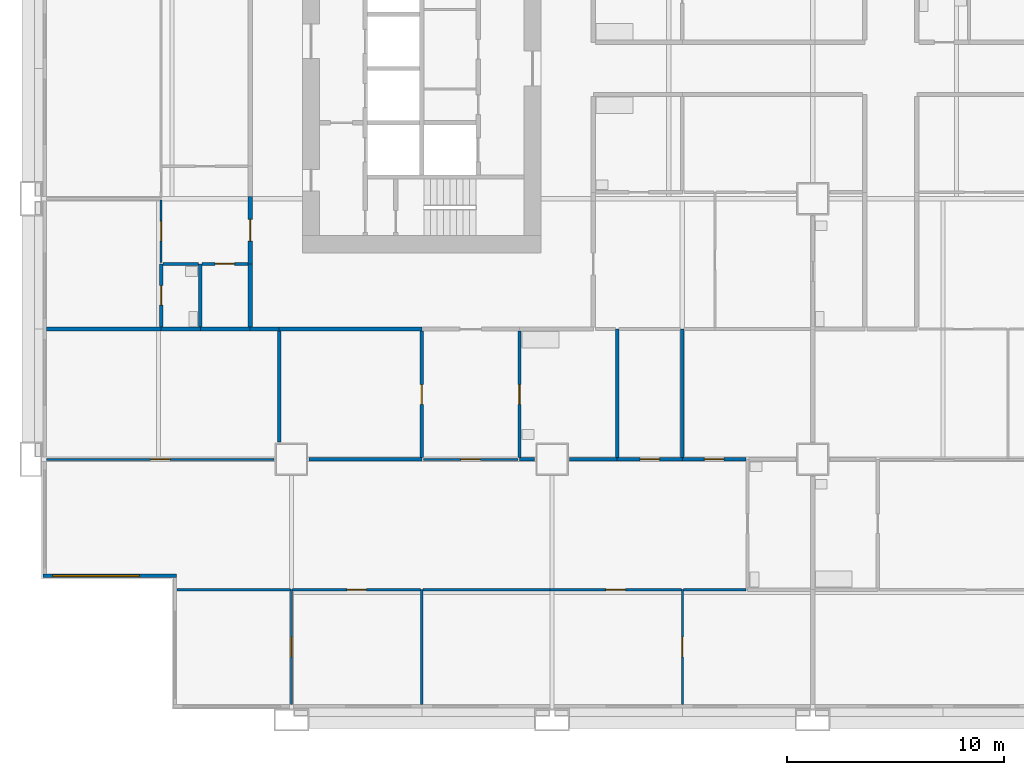
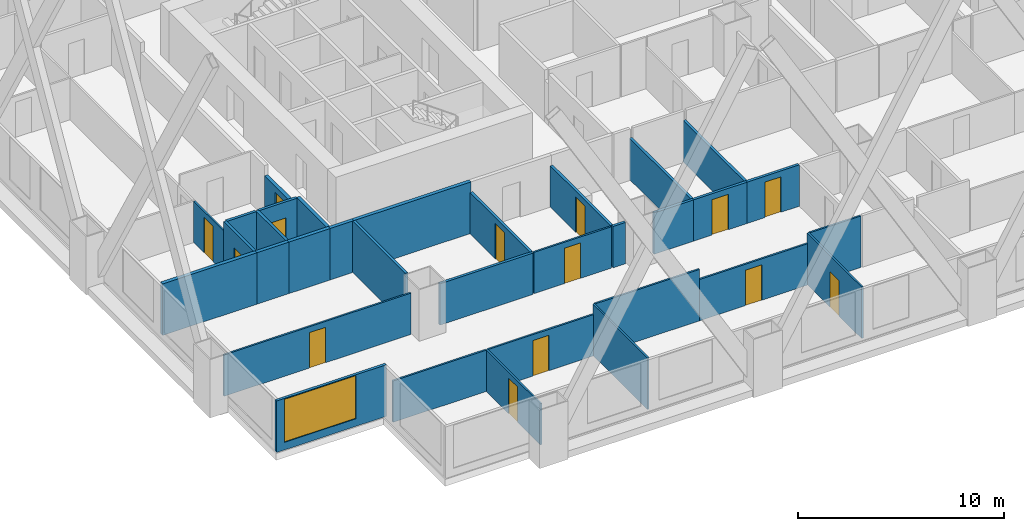
# One storey, part 2 of 13: 33 walls, 14 doors, 1 window, 15 openings.
"""IFC4 building model written with IfcOpenShell, lengths in metres."""

from ifc_helpers import new_model, si_unit, direction, frame, frame_2d, origin, place, context, subcontext, project, spatial, rectangle, extrude, material, layer, layer_set, type_object, element, fill, save


model = new_model("IFC4")

# Units and contexts
model_context = context("Model", 3, precision=1e-05, world=origin(), true_north=direction((0.0, 1.0)))
body_context = subcontext(model_context, "Body", "Model", "MODEL_VIEW")
ifc_project = project(units=[si_unit("LENGTHUNIT", "METRE"), si_unit("AREAUNIT", "SQUARE_METRE"), si_unit("VOLUMEUNIT", "CUBIC_METRE"), si_unit("PLANEANGLEUNIT", "RADIAN"), si_unit("MASSUNIT", "GRAM", prefix="KILO")], contexts=[model_context])

# Site, building, storey
site_placement = place(None, origin())
site = spatial("IfcSite", under=ifc_project, at=site_placement, CompositionType="ELEMENT")
building_placement = place(site_placement, origin())
building = spatial("IfcBuilding", under=site, at=building_placement, Name="Kitamizu Gate Tower and Museum", CompositionType="ELEMENT")
storey_placement = place(building_placement, frame((0.0, 0.0, 71.39990234375)))
storey = spatial("IfcBuildingStorey", under=building, at=storey_placement, Name="L17", CompositionType="ELEMENT", Elevation=71.39990234375)

# Wall, opening, door
ifc_material_1 = material(Name="Gypsum board on galvanised stud")
ifc_layer_1 = layer(ifc_material_1, 0.10009765625)
ifc_layer_set_1 = layer_set([ifc_layer_1], Name="Gypsum board on galvanised stud")
wall_type_1 = type_object("IfcWallType", Name="Partition 100 NOT RATED", PredefinedType="PARTITIONING", material=ifc_layer_set_1)
wall_1_placement = place(storey_placement, frame((12.0, 0.719970703125, 0.0), z_axis=(0.0, 0.0, 1.0), x_axis=(0.0, 1.0, 0.0)))
wall_1 = element("IfcWall", 1, at=wall_1_placement, inside=storey, type_object=wall_type_1, Name="Partition L17-001", PredefinedType="PARTITIONING", context=body_context, shape_type="SweptSolid", body=[
    extrude(rectangle(XDim=5.280029296875, YDim=0.10009765625, at=frame_2d((2.64013671875, 0.0))), origin(), (0.0, 0.0, 1.0), 2.4501953125),
])
opening_1_placement = place(wall_1_placement, frame((2.18994140625, 0.0, 0.0)))
opening_1 = element("IfcOpeningElement", 2, at=opening_1_placement, cuts=wall_1, Name="Opening L17-005", PredefinedType="OPENING", context=body_context, shape_type="SweptSolid", body=[
    extrude(rectangle(XDim=0.89990234375, YDim=2.10009765625, at=frame_2d((0.449951171875, 1.050048828125))), frame((0.0, 0.06005859375, 0.0), z_axis=(0.0, -1.0, 0.0), x_axis=(1.0, 0.0, 0.0)), (0.0, 0.0, 1.0), 0.1201171875),
])
ifc_material_2 = material(Name="Timber door set", Category="wood")
door_type_1 = type_object("IfcDoorType", Name="Room door 900", OperationType="NOTDEFINED", PredefinedType="DOOR", material=ifc_material_2)
door_1_placement = place(opening_1_placement, origin())
door_1 = element("IfcDoor", 3, at=door_1_placement, inside=storey, type_object=door_type_1, Name="Door L17-005", OperationType="SINGLE_SWING_RIGHT", OverallHeight=2.10009765625, OverallWidth=0.89990234375, PredefinedType="DOOR", context=body_context, shape_type="SweptSolid", body=[
    extrude(rectangle(XDim=0.89990234375, YDim=2.10009765625, at=frame_2d((0.449951171875, 1.050048828125))), frame((0.0, 0.02490234375, 0.0), z_axis=(0.0, -1.0, 0.0), x_axis=(1.0, 0.0, 0.0)), (0.0, 0.0, 1.0), 0.050048828125),
])
fill(opening_1, door_1)

# Walls
wall_2_placement = place(storey_placement, frame((11.949951171875, 6.0, 0.0), z_axis=(0.0, 0.0, 1.0), x_axis=(-1.0, 0.0, 0.0)))
element("IfcWall", 4, at=wall_2_placement, inside=storey, type_object=wall_type_1, Name="Partition L17-002", PredefinedType="PARTITIONING", context=body_context, shape_type="SweptSolid", body=[
    extrude(rectangle(XDim=5.22998046875, YDim=0.10009765625, at=frame_2d((2.614990234375, 0.0))), origin(), (0.0, 0.0, 1.0), 2.4501953125),
])
wall_3_placement = place(storey_placement, frame((18.0, 0.719970703125, 0.0), z_axis=(0.0, 0.0, 1.0), x_axis=(0.0, 1.0, 0.0)))
element("IfcWall", 5, at=wall_3_placement, inside=storey, type_object=wall_type_1, Name="Partition L17-003", PredefinedType="PARTITIONING", context=body_context, shape_type="SweptSolid", body=[
    extrude(rectangle(XDim=5.280029296875, YDim=0.10009765625, at=frame_2d((2.64013671875, 0.0))), origin(), (0.0, 0.0, 1.0), 3.050048828125),
])

# Wall, opening, door
wall_4_placement = place(storey_placement, frame((17.949951171875, 6.0, 0.0), z_axis=(0.0, 0.0, 1.0), x_axis=(-1.0, 0.0, 0.0)))
wall_4 = element("IfcWall", 6, at=wall_4_placement, inside=storey, type_object=wall_type_1, Name="Partition L17-004", PredefinedType="PARTITIONING", context=body_context, shape_type="SweptSolid", body=[
    extrude(rectangle(XDim=5.89990234375, YDim=0.10009765625, at=frame_2d((2.949951171875, 0.0))), origin(), (0.0, 0.0, 1.0), 2.4501953125),
])
opening_2_placement = place(wall_4_placement, frame((2.5, 0.0, 0.0)))
opening_2 = element("IfcOpeningElement", 7, at=opening_2_placement, cuts=wall_4, Name="Opening L17-003", PredefinedType="OPENING", context=body_context, shape_type="SweptSolid", body=[
    extrude(rectangle(XDim=0.89990234375, YDim=2.10009765625, at=frame_2d((0.449951171875, 1.050048828125))), frame((0.0, 0.06005859375, 0.0), z_axis=(0.0, -1.0, 0.0), x_axis=(1.0, 0.0, 0.0)), (0.0, 0.0, 1.0), 0.1201171875),
])
door_2_placement = place(opening_2_placement, origin())
door_2 = element("IfcDoor", 8, at=door_2_placement, inside=storey, type_object=door_type_1, Name="Door L17-003", OperationType="SINGLE_SWING_RIGHT", OverallHeight=2.10009765625, OverallWidth=0.89990234375, PredefinedType="DOOR", context=body_context, shape_type="SweptSolid", body=[
    extrude(rectangle(XDim=0.89990234375, YDim=2.10009765625, at=frame_2d((0.449951171875, 1.050048828125))), frame((0.0, 0.02490234375, 0.0), z_axis=(0.0, -1.0, 0.0), x_axis=(1.0, 0.0, 0.0)), (0.0, 0.0, 1.0), 0.050048828125),
])
fill(opening_2, door_2)

wall_5_placement = place(storey_placement, frame((30.0, 0.719970703125, 0.0), z_axis=(0.0, 0.0, 1.0), x_axis=(0.0, 1.0, 0.0)))
wall_5 = element("IfcWall", 9, at=wall_5_placement, inside=storey, type_object=wall_type_1, Name="Partition L17-005", PredefinedType="PARTITIONING", context=body_context, shape_type="SweptSolid", body=[
    extrude(rectangle(XDim=5.280029296875, YDim=0.10009765625, at=frame_2d((2.64013671875, 0.0))), origin(), (0.0, 0.0, 1.0), 3.050048828125),
])
opening_3_placement = place(wall_5_placement, frame((2.18994140625, 0.0, 0.0)))
opening_3 = element("IfcOpeningElement", 10, at=opening_3_placement, cuts=wall_5, Name="Opening L17-006", PredefinedType="OPENING", context=body_context, shape_type="SweptSolid", body=[
    extrude(rectangle(XDim=0.89990234375, YDim=2.10009765625, at=frame_2d((0.449951171875, 1.050048828125))), frame((0.0, 0.06005859375, 0.0), z_axis=(0.0, -1.0, 0.0), x_axis=(1.0, 0.0, 0.0)), (0.0, 0.0, 1.0), 0.1201171875),
])
door_3_placement = place(opening_3_placement, frame((0.89990234375, 0.0, 0.0), x_axis=(-1.0, 0.0, 0.0)))
door_3 = element("IfcDoor", 11, at=door_3_placement, inside=storey, type_object=door_type_1, Name="Door L17-006", OperationType="SINGLE_SWING_RIGHT", OverallHeight=2.10009765625, OverallWidth=0.89990234375, PredefinedType="DOOR", context=body_context, shape_type="SweptSolid", body=[
    extrude(rectangle(XDim=0.89990234375, YDim=2.10009765625, at=frame_2d((0.449951171875, 1.050048828125))), frame((0.0, 0.02490234375, 0.0), z_axis=(0.0, -1.0, 0.0), x_axis=(1.0, 0.0, 0.0)), (0.0, 0.0, 1.0), 0.050048828125),
])
fill(opening_3, door_3)

wall_6_placement = place(storey_placement, frame((29.949951171875, 6.0, 0.0), z_axis=(0.0, 0.0, 1.0), x_axis=(-1.0, 0.0, 0.0)))
wall_6 = element("IfcWall", 12, at=wall_6_placement, inside=storey, type_object=wall_type_1, Name="Partition L17-006", PredefinedType="PARTITIONING", context=body_context, shape_type="SweptSolid", body=[
    extrude(rectangle(XDim=6.050048828125, YDim=0.10009765625, at=frame_2d((3.02490234375, 0.0))), origin(), (0.0, 0.0, 1.0), 2.4501953125),
])
opening_4_placement = place(wall_6_placement, frame((2.574951171875, 0.0, 0.0)))
opening_4 = element("IfcOpeningElement", 13, at=opening_4_placement, cuts=wall_6, Name="Opening L17-004", PredefinedType="OPENING", context=body_context, shape_type="SweptSolid", body=[
    extrude(rectangle(XDim=0.89990234375, YDim=2.10009765625, at=frame_2d((0.449951171875, 1.050048828125))), frame((0.0, 0.06005859375, 0.0), z_axis=(0.0, -1.0, 0.0), x_axis=(1.0, 0.0, 0.0)), (0.0, 0.0, 1.0), 0.1201171875),
])
door_4_placement = place(opening_4_placement, origin())
door_4 = element("IfcDoor", 14, at=door_4_placement, inside=storey, type_object=door_type_1, Name="Door L17-004", OperationType="SINGLE_SWING_LEFT", OverallHeight=2.10009765625, OverallWidth=0.89990234375, PredefinedType="DOOR", context=body_context, shape_type="SweptSolid", body=[
    extrude(rectangle(XDim=0.89990234375, YDim=2.10009765625, at=frame_2d((0.449951171875, 1.050048828125))), frame((0.0, 0.02490234375, 0.0), z_axis=(0.0, -1.0, 0.0), x_axis=(1.0, 0.0, 0.0)), (0.0, 0.0, 1.0), 0.050048828125),
])
fill(opening_4, door_4)

# Walls
wall_7_placement = place(storey_placement, frame((23.89990234375, 6.0, 0.0), z_axis=(0.0, 0.0, 1.0), x_axis=(-1.0, 0.0, 0.0)))
element("IfcWall", 15, at=wall_7_placement, inside=storey, type_object=wall_type_1, Name="Partition L17-007", PredefinedType="PARTITIONING", context=body_context, shape_type="SweptSolid", body=[
    extrude(rectangle(XDim=5.849853515625, YDim=0.10009765625, at=frame_2d((2.9248046875, 0.0))), origin(), (0.0, 0.0, 1.0), 3.050048828125),
])
wall_8_placement = place(storey_placement, frame((32.925048828125, 6.0, 0.0), z_axis=(0.0, 0.0, 1.0), x_axis=(-1.0, 0.0, 0.0)))
element("IfcWall", 16, at=wall_8_placement, inside=storey, type_object=wall_type_1, Name="Partition L17-008", PredefinedType="PARTITIONING", context=body_context, shape_type="SweptSolid", body=[
    extrude(rectangle(XDim=2.875, YDim=0.10009765625, at=frame_2d((1.4375, 0.0))), origin(), (0.0, 0.0, 1.0), 3.050048828125),
])

# Wall, opening, door
wall_9_placement = place(storey_placement, frame((11.199951171875, 12.0, 0.0), z_axis=(0.0, 0.0, 1.0), x_axis=(-1.0, 0.0, 0.0)))
wall_9 = element("IfcWall", 17, at=wall_9_placement, inside=storey, type_object=wall_type_1, Name="Partition L17-012", PredefinedType="PARTITIONING", context=body_context, shape_type="SweptSolid", body=[
    extrude(rectangle(XDim=10.47998046875, YDim=0.10009765625, at=frame_2d((5.239990234375, 0.0))), origin(), (0.0, 0.0, 1.0), 2.4501953125),
])
opening_5_placement = place(wall_9_placement, frame((4.7900390625, 0.0, 0.0)))
opening_5 = element("IfcOpeningElement", 18, at=opening_5_placement, cuts=wall_9, Name="Opening L17-008", PredefinedType="OPENING", context=body_context, shape_type="SweptSolid", body=[
    extrude(rectangle(XDim=0.89990234375, YDim=2.10009765625, at=frame_2d((0.449951171875, 1.050048828125))), frame((0.0, 0.06005859375, 0.0), z_axis=(0.0, -1.0, 0.0), x_axis=(1.0, 0.0, 0.0)), (0.0, 0.0, 1.0), 0.1201171875),
])
door_5_placement = place(opening_5_placement, frame((0.89990234375, 0.0, 0.0), x_axis=(-1.0, 0.0, 0.0)))
door_5 = element("IfcDoor", 19, at=door_5_placement, inside=storey, type_object=door_type_1, Name="Door L17-008", OperationType="SINGLE_SWING_RIGHT", OverallHeight=2.10009765625, OverallWidth=0.89990234375, PredefinedType="DOOR", context=body_context, shape_type="SweptSolid", body=[
    extrude(rectangle(XDim=0.89990234375, YDim=2.10009765625, at=frame_2d((0.449951171875, 1.050048828125))), frame((0.0, 0.02490234375, 0.0), z_axis=(0.0, -1.0, 0.0), x_axis=(1.0, 0.0, 0.0)), (0.0, 0.0, 1.0), 0.050048828125),
])
fill(opening_5, door_5)

wall_10_placement = place(storey_placement, frame((22.425048828125, 12.0, 0.0), z_axis=(0.0, 0.0, 1.0), x_axis=(-1.0, 0.0, 0.0)))
wall_10 = element("IfcWall", 20, at=wall_10_placement, inside=storey, type_object=wall_type_1, Name="Partition L17-014", PredefinedType="PARTITIONING", context=body_context, shape_type="SweptSolid", body=[
    extrude(rectangle(XDim=4.35009765625, YDim=0.10009765625, at=frame_2d((2.175048828125, 0.0))), origin(), (0.0, 0.0, 1.0), 2.4501953125),
])
opening_6_placement = place(wall_10_placement, frame((1.72509765625, 0.0, 0.0)))
opening_6 = element("IfcOpeningElement", 21, at=opening_6_placement, cuts=wall_10, Name="Opening L17-002", PredefinedType="OPENING", context=body_context, shape_type="SweptSolid", body=[
    extrude(rectangle(XDim=0.89990234375, YDim=2.10009765625, at=frame_2d((0.449951171875, 1.050048828125))), frame((0.0, 0.06005859375, 0.0), z_axis=(0.0, -1.0, 0.0), x_axis=(1.0, 0.0, 0.0)), (0.0, 0.0, 1.0), 0.1201171875),
])
door_6_placement = place(opening_6_placement, frame((0.89990234375, 0.0, 0.0), x_axis=(-1.0, 0.0, 0.0)))
door_6 = element("IfcDoor", 22, at=door_6_placement, inside=storey, type_object=door_type_1, Name="Door L17-002", OperationType="SINGLE_SWING_RIGHT", OverallHeight=2.10009765625, OverallWidth=0.89990234375, PredefinedType="DOOR", context=body_context, shape_type="SweptSolid", body=[
    extrude(rectangle(XDim=0.89990234375, YDim=2.10009765625, at=frame_2d((0.449951171875, 1.050048828125))), frame((0.0, 0.02490234375, 0.0), z_axis=(0.0, -1.0, 0.0), x_axis=(1.0, 0.0, 0.0)), (0.0, 0.0, 1.0), 0.050048828125),
])
fill(opening_6, door_6)

wall_11_placement = place(storey_placement, frame((6.0, 21.074951171875, 0.0), z_axis=(0.0, 0.0, 1.0), x_axis=(0.0, 1.0, 0.0)))
wall_11 = element("IfcWall", 23, at=wall_11_placement, inside=storey, type_object=wall_type_1, Name="Partition L17-056", PredefinedType="PARTITIONING", context=body_context, shape_type="SweptSolid", body=[
    extrude(rectangle(XDim=2.875, YDim=0.10009765625, at=frame_2d((1.4375, 0.0))), origin(), (0.0, 0.0, 1.0), 2.4501953125),
])
opening_7_placement = place(wall_11_placement, frame((0.987548828125, 0.0, 0.0)))
opening_7 = element("IfcOpeningElement", 24, at=opening_7_placement, cuts=wall_11, Name="Opening L17-019", PredefinedType="OPENING", context=body_context, shape_type="SweptSolid", body=[
    extrude(rectangle(XDim=0.89990234375, YDim=2.10009765625, at=frame_2d((0.449951171875, 1.050048828125))), frame((0.0, 0.06005859375, 0.0), z_axis=(0.0, -1.0, 0.0), x_axis=(1.0, 0.0, 0.0)), (0.0, 0.0, 1.0), 0.1201171875),
])
door_7_placement = place(opening_7_placement, origin())
door_7 = element("IfcDoor", 25, at=door_7_placement, inside=storey, type_object=door_type_1, Name="Door L17-019", OperationType="SINGLE_SWING_LEFT", OverallHeight=2.10009765625, OverallWidth=0.89990234375, PredefinedType="DOOR", context=body_context, shape_type="SweptSolid", body=[
    extrude(rectangle(XDim=0.89990234375, YDim=2.10009765625, at=frame_2d((0.449951171875, 1.050048828125))), frame((0.0, 0.02490234375, 0.0), z_axis=(0.0, -1.0, 0.0), x_axis=(1.0, 0.0, 0.0)), (0.0, 0.0, 1.0), 0.050048828125),
])
fill(opening_7, door_7)

# Walls
ifc_material_3 = material(Name="Gypsum board on galvanised stud")
ifc_layer_2 = layer(ifc_material_3, 0.14990234375)
ifc_layer_set_2 = layer_set([ifc_layer_2], Name="Gypsum board on galvanised stud")
wall_type_2 = type_object("IfcWallType", Name="Partition 150", PredefinedType="PARTITIONING", material=ifc_layer_set_2)
wall_12_placement = place(storey_placement, frame((18.0, 12.0, 0.0), z_axis=(0.0, 0.0, 1.0), x_axis=(-1.0, 0.0, 0.0)))
element("IfcWall", 26, at=wall_12_placement, inside=storey, type_object=wall_type_2, Name="Partition L17-013", PredefinedType="PARTITIONING", context=body_context, shape_type="SweptSolid", body=[
    extrude(rectangle(XDim=5.199951171875, YDim=0.14990234375, at=frame_2d((2.60009765625, 0.0))), origin(), (0.0, 0.0, 1.0), 2.4501953125),
])
wall_13_placement = place(storey_placement, frame((23.199951171875, 12.0, 0.0), z_axis=(0.0, 0.0, 1.0), x_axis=(-1.0, 0.0, 0.0)))
element("IfcWall", 27, at=wall_13_placement, inside=storey, type_object=wall_type_2, Name="Partition L17-015", PredefinedType="PARTITIONING", context=body_context, shape_type="SweptSolid", body=[
    extrude(rectangle(XDim=0.699951171875, YDim=0.14990234375, at=frame_2d((0.35009765625, 0.0))), origin(), (0.0, 0.0, 1.0), 2.4501953125),
])
wall_14_placement = place(storey_placement, frame((27.0, 12.0, 0.0), z_axis=(0.0, 0.0, 1.0), x_axis=(-1.0, 0.0, 0.0)))
element("IfcWall", 28, at=wall_14_placement, inside=storey, type_object=wall_type_2, Name="Partition L17-016", PredefinedType="PARTITIONING", context=body_context, shape_type="SweptSolid", body=[
    extrude(rectangle(XDim=2.199951171875, YDim=0.14990234375, at=frame_2d((1.10009765625, 0.0))), origin(), (0.0, 0.0, 1.0), 2.4501953125),
])

# Wall, opening, door
wall_15_placement = place(storey_placement, frame((30.0, 12.0, 0.0), z_axis=(0.0, 0.0, 1.0), x_axis=(-1.0, 0.0, 0.0)))
wall_15 = element("IfcWall", 29, at=wall_15_placement, inside=storey, type_object=wall_type_2, Name="Partition L17-017", PredefinedType="PARTITIONING", context=body_context, shape_type="SweptSolid", body=[
    extrude(rectangle(XDim=3.0, YDim=0.14990234375, at=frame_2d((1.5, 0.0))), origin(), (0.0, 0.0, 1.0), 2.4501953125),
])
opening_8_placement = place(wall_15_placement, frame((1.050048828125, 0.0, 0.0)))
opening_8 = element("IfcOpeningElement", 30, at=opening_8_placement, cuts=wall_15, Name="Opening L17-011", PredefinedType="OPENING", context=body_context, shape_type="SweptSolid", body=[
    extrude(rectangle(XDim=0.89990234375, YDim=2.10009765625, at=frame_2d((0.449951171875, 1.050048828125))), frame((0.0, 0.0849609375, 0.0), z_axis=(0.0, -1.0, 0.0), x_axis=(1.0, 0.0, 0.0)), (0.0, 0.0, 1.0), 0.169921875),
])
ifc_material_4 = material(Name="Timber door set", Category="wood")
door_type_2 = type_object("IfcDoorType", Name="Bathroom door 900", OperationType="NOTDEFINED", PredefinedType="DOOR", material=ifc_material_4)
door_8_placement = place(opening_8_placement, frame((0.89990234375, 0.0, 0.0), x_axis=(-1.0, 0.0, 0.0)))
door_8 = element("IfcDoor", 31, at=door_8_placement, inside=storey, type_object=door_type_2, Name="Bathroom door L17-011", OperationType="SINGLE_SWING_LEFT", OverallHeight=2.10009765625, OverallWidth=0.89990234375, PredefinedType="DOOR", context=body_context, shape_type="SweptSolid", body=[
    extrude(rectangle(XDim=0.89990234375, YDim=2.10009765625, at=frame_2d((0.449951171875, 1.050048828125))), frame((0.0, 0.02490234375, 0.0), z_axis=(0.0, -1.0, 0.0), x_axis=(1.0, 0.0, 0.0)), (0.0, 0.0, 1.0), 0.050048828125),
])
fill(opening_8, door_8)

wall_16_placement = place(storey_placement, frame((32.925048828125, 12.0, 0.0), z_axis=(0.0, 0.0, 1.0), x_axis=(-1.0, 0.0, 0.0)))
wall_16 = element("IfcWall", 32, at=wall_16_placement, inside=storey, type_object=wall_type_2, Name="Partition L17-018", PredefinedType="PARTITIONING", context=body_context, shape_type="SweptSolid", body=[
    extrude(rectangle(XDim=2.925048828125, YDim=0.14990234375, at=frame_2d((1.46240234375, 0.0))), origin(), (0.0, 0.0, 1.0), 2.4501953125),
])
opening_9_placement = place(wall_16_placement, frame((1.012451171875, 0.0, 0.0)))
opening_9 = element("IfcOpeningElement", 33, at=opening_9_placement, cuts=wall_16, Name="Opening L17-012", PredefinedType="OPENING", context=body_context, shape_type="SweptSolid", body=[
    extrude(rectangle(XDim=0.89990234375, YDim=2.10009765625, at=frame_2d((0.449951171875, 1.050048828125))), frame((0.0, 0.0849609375, 0.0), z_axis=(0.0, -1.0, 0.0), x_axis=(1.0, 0.0, 0.0)), (0.0, 0.0, 1.0), 0.169921875),
])
door_9_placement = place(opening_9_placement, frame((0.89990234375, 0.0, 0.0), x_axis=(-1.0, 0.0, 0.0)))
door_9 = element("IfcDoor", 34, at=door_9_placement, inside=storey, type_object=door_type_2, Name="Bathroom door L17-012", OperationType="SINGLE_SWING_RIGHT", OverallHeight=2.10009765625, OverallWidth=0.89990234375, PredefinedType="DOOR", context=body_context, shape_type="SweptSolid", body=[
    extrude(rectangle(XDim=0.89990234375, YDim=2.10009765625, at=frame_2d((0.449951171875, 1.050048828125))), frame((0.0, 0.02490234375, 0.0), z_axis=(0.0, -1.0, 0.0), x_axis=(1.0, 0.0, 0.0)), (0.0, 0.0, 1.0), 0.050048828125),
])
fill(opening_9, door_9)

# Wall
wall_17_placement = place(storey_placement, frame((11.43408203125, 12.800048828125, 0.0), z_axis=(0.0, 0.0, 1.0), x_axis=(0.0, 1.0, 0.0)))
element("IfcWall", 35, at=wall_17_placement, inside=storey, type_object=wall_type_2, Name="Partition L17-021", PredefinedType="PARTITIONING", context=body_context, shape_type="SweptSolid", body=[
    extrude(rectangle(XDim=5.099853515625, YDim=0.14990234375, at=frame_2d((2.5498046875, 0.0))), origin(), (0.0, 0.0, 1.0), 3.050048828125),
])

# Wall, opening, door
wall_18_placement = place(storey_placement, frame((18.0, 12.074951171875, 0.0), z_axis=(0.0, 0.0, 1.0), x_axis=(0.0, 1.0, 0.0)))
wall_18 = element("IfcWall", 36, at=wall_18_placement, inside=storey, type_object=wall_type_2, Name="Partition L17-026", PredefinedType="PARTITIONING", context=body_context, shape_type="SweptSolid", body=[
    extrude(rectangle(XDim=5.824951171875, YDim=0.14990234375, at=frame_2d((2.91259765625, 0.0))), origin(), (0.0, 0.0, 1.0), 2.4501953125),
])
opening_10_placement = place(wall_18_placement, frame((2.46240234375, 0.0, 0.0)))
opening_10 = element("IfcOpeningElement", 37, at=opening_10_placement, cuts=wall_18, Name="Opening L17-009", PredefinedType="OPENING", context=body_context, shape_type="SweptSolid", body=[
    extrude(rectangle(XDim=0.89990234375, YDim=2.10009765625, at=frame_2d((0.449951171875, 1.050048828125))), frame((0.0, 0.0849609375, 0.0), z_axis=(0.0, -1.0, 0.0), x_axis=(1.0, 0.0, 0.0)), (0.0, 0.0, 1.0), 0.169921875),
])
door_10_placement = place(opening_10_placement, origin())
door_10 = element("IfcDoor", 38, at=door_10_placement, inside=storey, type_object=door_type_2, Name="Bathroom door L17-009", OperationType="SINGLE_SWING_RIGHT", OverallHeight=2.10009765625, OverallWidth=0.89990234375, PredefinedType="DOOR", context=body_context, shape_type="SweptSolid", body=[
    extrude(rectangle(XDim=0.89990234375, YDim=2.10009765625, at=frame_2d((0.449951171875, 1.050048828125))), frame((0.0, 0.02490234375, 0.0), z_axis=(0.0, -1.0, 0.0), x_axis=(1.0, 0.0, 0.0)), (0.0, 0.0, 1.0), 0.050048828125),
])
fill(opening_10, door_10)

wall_19_placement = place(storey_placement, frame((22.5, 12.074951171875, 0.0), z_axis=(0.0, 0.0, 1.0), x_axis=(0.0, 1.0, 0.0)))
wall_19 = element("IfcWall", 39, at=wall_19_placement, inside=storey, type_object=wall_type_2, Name="Partition L17-028", PredefinedType="PARTITIONING", context=body_context, shape_type="SweptSolid", body=[
    extrude(rectangle(XDim=5.824951171875, YDim=0.14990234375, at=frame_2d((2.91259765625, 0.0))), origin(), (0.0, 0.0, 1.0), 2.4501953125),
])
opening_11_placement = place(wall_19_placement, frame((2.46240234375, 0.0, 0.0)))
opening_11 = element("IfcOpeningElement", 40, at=opening_11_placement, cuts=wall_19, Name="Opening L17-010", PredefinedType="OPENING", context=body_context, shape_type="SweptSolid", body=[
    extrude(rectangle(XDim=0.89990234375, YDim=2.10009765625, at=frame_2d((0.449951171875, 1.050048828125))), frame((0.0, 0.0849609375, 0.0), z_axis=(0.0, -1.0, 0.0), x_axis=(1.0, 0.0, 0.0)), (0.0, 0.0, 1.0), 0.169921875),
])
door_11_placement = place(opening_11_placement, frame((0.89990234375, 0.0, 0.0), x_axis=(-1.0, 0.0, 0.0)))
door_11 = element("IfcDoor", 41, at=door_11_placement, inside=storey, type_object=door_type_2, Name="Bathroom door L17-010", OperationType="SINGLE_SWING_RIGHT", OverallHeight=2.10009765625, OverallWidth=0.89990234375, PredefinedType="DOOR", context=body_context, shape_type="SweptSolid", body=[
    extrude(rectangle(XDim=0.89990234375, YDim=2.10009765625, at=frame_2d((0.449951171875, 1.050048828125))), frame((0.0, 0.02490234375, 0.0), z_axis=(0.0, -1.0, 0.0), x_axis=(1.0, 0.0, 0.0)), (0.0, 0.0, 1.0), 0.050048828125),
])
fill(opening_11, door_11)

# Walls
for number, where, z_axis, x_axis, name in (
    (42, (27.0, 12.074951171875, 0.0), (0.0, 0.0, 1.0), (0.0, 1.0, 0.0), "Partition L17-030"),
    (43, (30.0, 12.074951171875, 0.0), (0.0, 0.0, 1.0), (0.0, 1.0, 0.0), "Partition L17-033"),
):
    element("IfcWall", number, at=place(storey_placement, frame(where, z_axis=z_axis, x_axis=x_axis)), inside=storey, type_object=wall_type_2, Name=name, PredefinedType="PARTITIONING", context=body_context, shape_type="SweptSolid", body=[
        extrude(rectangle(XDim=5.925048828125, YDim=0.14990234375, at=frame_2d((2.96240234375, 0.0))), origin(), (0.0, 0.0, 1.0), 2.4501953125),
    ])

# Wall, opening, door
wall_20_placement = place(storey_placement, frame((6.0, 18.10009765625, 0.0), z_axis=(0.0, 0.0, 1.0), x_axis=(0.0, 1.0, 0.0)))
wall_20 = element("IfcWall", 44, at=wall_20_placement, inside=storey, type_object=wall_type_2, Name="Partition L17-055", PredefinedType="PARTITIONING", context=body_context, shape_type="SweptSolid", body=[
    extrude(rectangle(XDim=2.89990234375, YDim=0.14990234375, at=frame_2d((1.449951171875, 0.0))), origin(), (0.0, 0.0, 1.0), 3.050048828125),
])
opening_12_placement = place(wall_20_placement, frame((1.0, 0.0, 0.0)))
opening_12 = element("IfcOpeningElement", 45, at=opening_12_placement, cuts=wall_20, Name="Opening L17-023", PredefinedType="OPENING", context=body_context, shape_type="SweptSolid", body=[
    extrude(rectangle(XDim=0.89990234375, YDim=2.10009765625, at=frame_2d((0.449951171875, 1.050048828125))), frame((0.0, 0.0849609375, 0.0), z_axis=(0.0, -1.0, 0.0), x_axis=(1.0, 0.0, 0.0)), (0.0, 0.0, 1.0), 0.169921875),
])
door_12_placement = place(opening_12_placement, frame((0.89990234375, 0.0, 0.0), x_axis=(-1.0, 0.0, 0.0)))
door_12 = element("IfcDoor", 46, at=door_12_placement, inside=storey, type_object=door_type_2, Name="Bathroom door L17-023", OperationType="SINGLE_SWING_LEFT", OverallHeight=2.10009765625, OverallWidth=0.89990234375, PredefinedType="DOOR", context=body_context, shape_type="SweptSolid", body=[
    extrude(rectangle(XDim=0.89990234375, YDim=2.10009765625, at=frame_2d((0.449951171875, 1.050048828125))), frame((0.0, 0.02490234375, 0.0), z_axis=(0.0, -1.0, 0.0), x_axis=(1.0, 0.0, 0.0)), (0.0, 0.0, 1.0), 0.050048828125),
])
fill(opening_12, door_12)

# Walls
wall_21_placement = place(storey_placement, frame((7.800048828125, 18.10009765625, 0.0), z_axis=(0.0, 0.0, 1.0), x_axis=(0.0, 1.0, 0.0)))
element("IfcWall", 47, at=wall_21_placement, inside=storey, type_object=wall_type_2, Name="Partition L17-062", PredefinedType="PARTITIONING", context=body_context, shape_type="SweptSolid", body=[
    extrude(rectangle(XDim=2.89990234375, YDim=0.14990234375, at=frame_2d((1.449951171875, 0.0))), origin(), (0.0, 0.0, 1.0), 3.050048828125),
])
wall_22_placement = place(storey_placement, frame((7.72509765625, 21.0, 0.0), z_axis=(0.0, 0.0, 1.0), x_axis=(-1.0, 0.0, 0.0)))
element("IfcWall", 48, at=wall_22_placement, inside=storey, type_object=wall_type_2, Name="Partition L17-063", PredefinedType="PARTITIONING", context=body_context, shape_type="SweptSolid", body=[
    extrude(rectangle(XDim=1.650146484375, YDim=0.14990234375, at=frame_2d((0.8251953125, 0.0))), origin(), (0.0, 0.0, 1.0), 3.050048828125),
])

# Wall, opening, door
wall_23_placement = place(storey_placement, frame((10.0, 21.0, 0.0), z_axis=(0.0, 0.0, 1.0), x_axis=(-1.0, 0.0, 0.0)))
wall_23 = element("IfcWall", 49, at=wall_23_placement, inside=storey, type_object=wall_type_2, Name="Partition L17-064", PredefinedType="PARTITIONING", context=body_context, shape_type="SweptSolid", body=[
    extrude(rectangle(XDim=2.125, YDim=0.14990234375, at=frame_2d((1.0625, 0.0))), origin(), (0.0, 0.0, 1.0), 3.050048828125),
])
opening_13_placement = place(wall_23_placement, frame((0.612548828125, 0.0, 0.0)))
opening_13 = element("IfcOpeningElement", 50, at=opening_13_placement, cuts=wall_23, Name="Opening L17-024", PredefinedType="OPENING", context=body_context, shape_type="SweptSolid", body=[
    extrude(rectangle(XDim=0.89990234375, YDim=2.10009765625, at=frame_2d((0.449951171875, 1.050048828125))), frame((0.0, 0.0849609375, 0.0), z_axis=(0.0, -1.0, 0.0), x_axis=(1.0, 0.0, 0.0)), (0.0, 0.0, 1.0), 0.169921875),
])
door_13_placement = place(opening_13_placement, origin())
door_13 = element("IfcDoor", 51, at=door_13_placement, inside=storey, type_object=door_type_2, Name="Bathroom door L17-024", OperationType="SINGLE_SWING_LEFT", OverallHeight=2.10009765625, OverallWidth=0.89990234375, PredefinedType="DOOR", context=body_context, shape_type="SweptSolid", body=[
    extrude(rectangle(XDim=0.89990234375, YDim=2.10009765625, at=frame_2d((0.449951171875, 1.050048828125))), frame((0.0, 0.02490234375, 0.0), z_axis=(0.0, -1.0, 0.0), x_axis=(1.0, 0.0, 0.0)), (0.0, 0.0, 1.0), 0.050048828125),
])
fill(opening_13, door_13)

# Walls
ifc_material_5 = material(Name="Gypsum board on galvanised stud")
ifc_layer_3 = layer(ifc_material_5, 0.199951171875)
ifc_layer_set_3 = layer_set([ifc_layer_3], Name="Gypsum board on galvanised stud")
wall_type_3 = type_object("IfcWallType", Name="Partition 200", PredefinedType="PARTITIONING", material=ifc_layer_set_3)
wall_24_placement = place(storey_placement, frame((6.0, 18.0, 0.0), z_axis=(0.0, 0.0, 1.0), x_axis=(-1.0, 0.0, 0.0)))
element("IfcWall", 52, at=wall_24_placement, inside=storey, type_object=wall_type_3, Name="Partition L17-022", PredefinedType="PARTITIONING", context=body_context, shape_type="SweptSolid", body=[
    extrude(rectangle(XDim=5.280029296875, YDim=0.199951171875, at=frame_2d((2.64013671875, 0.0))), origin(), (0.0, 0.0, 1.0), 3.050048828125),
])
wall_25_placement = place(storey_placement, frame((7.800048828125, 18.0, 0.0), z_axis=(0.0, 0.0, 1.0), x_axis=(-1.0, 0.0, 0.0)))
element("IfcWall", 53, at=wall_25_placement, inside=storey, type_object=wall_type_3, Name="Partition L17-023", PredefinedType="PARTITIONING", context=body_context, shape_type="SweptSolid", body=[
    extrude(rectangle(XDim=1.800048828125, YDim=0.199951171875, at=frame_2d((0.89990234375, 0.0))), origin(), (0.0, 0.0, 1.0), 3.050048828125),
])
wall_26_placement = place(storey_placement, frame((10.10009765625, 18.0, 0.0), z_axis=(0.0, 0.0, 1.0), x_axis=(-1.0, 0.0, 0.0)))
element("IfcWall", 54, at=wall_26_placement, inside=storey, type_object=wall_type_3, Name="Partition L17-024", PredefinedType="PARTITIONING", context=body_context, shape_type="SweptSolid", body=[
    extrude(rectangle(XDim=2.300048828125, YDim=0.199951171875, at=frame_2d((1.14990234375, 0.0))), origin(), (0.0, 0.0, 1.0), 3.050048828125),
])
wall_27_placement = place(storey_placement, frame((11.43408203125, 18.0, 0.0), z_axis=(0.0, 0.0, 1.0), x_axis=(-1.0, 0.0, 0.0)))
element("IfcWall", 55, at=wall_27_placement, inside=storey, type_object=wall_type_3, Name="Partition L17-025", PredefinedType="PARTITIONING", context=body_context, shape_type="SweptSolid", body=[
    extrude(rectangle(XDim=1.333984375, YDim=0.199951171875, at=frame_2d((0.6669921875, 0.0))), origin(), (0.0, 0.0, 1.0), 3.050048828125),
])
wall_28_placement = place(storey_placement, frame((18.0, 18.0, 0.0), z_axis=(0.0, 0.0, 1.0), x_axis=(-1.0, 0.0, 0.0)))
element("IfcWall", 56, at=wall_28_placement, inside=storey, type_object=wall_type_3, Name="Partition L17-027", PredefinedType="PARTITIONING", context=body_context, shape_type="SweptSolid", body=[
    extrude(rectangle(XDim=6.56591796875, YDim=0.199951171875, at=frame_2d((3.282958984375, 0.0))), origin(), (0.0, 0.0, 1.0), 3.050048828125),
])
wall_29_placement = place(storey_placement, frame((10.10009765625, 18.10009765625, 0.0), z_axis=(0.0, 0.0, 1.0), x_axis=(0.0, 1.0, 0.0)))
element("IfcWall", 57, at=wall_29_placement, inside=storey, type_object=wall_type_3, Name="Partition L17-065", PredefinedType="PARTITIONING", context=body_context, shape_type="SweptSolid", body=[
    extrude(rectangle(XDim=2.89990234375, YDim=0.199951171875, at=frame_2d((1.449951171875, 0.0))), origin(), (0.0, 0.0, 1.0), 3.050048828125),
])

# Wall, opening, door
wall_30_placement = place(storey_placement, frame((10.10009765625, 21.0, 0.0), z_axis=(0.0, 0.0, 1.0), x_axis=(0.0, 1.0, 0.0)))
wall_30 = element("IfcWall", 58, at=wall_30_placement, inside=storey, type_object=wall_type_3, Name="Partition L17-067", PredefinedType="PARTITIONING", context=body_context, shape_type="SweptSolid", body=[
    extrude(rectangle(XDim=3.10009765625, YDim=0.199951171875, at=frame_2d((1.550048828125, 0.0))), origin(), (0.0, 0.0, 1.0), 2.4501953125),
])
opening_14_placement = place(wall_30_placement, frame((1.050048828125, 0.0, 0.0)))
opening_14 = element("IfcOpeningElement", 59, at=opening_14_placement, cuts=wall_30, Name="Opening L17-018", PredefinedType="OPENING", context=body_context, shape_type="SweptSolid", body=[
    extrude(rectangle(XDim=1.0, YDim=2.10009765625, at=frame_2d((0.5, 1.050048828125))), frame((0.0, 0.10986328125, 0.0), z_axis=(0.0, -1.0, 0.0), x_axis=(1.0, 0.0, 0.0)), (0.0, 0.0, 1.0), 0.219970703125),
])
ifc_material_6 = material(Name="Timber door set", Category="wood")
door_type_3 = type_object("IfcDoorType", Name="Flat entrance door 1000", OperationType="NOTDEFINED", PredefinedType="DOOR", material=ifc_material_6)
door_14_placement = place(opening_14_placement, origin())
door_14 = element("IfcDoor", 60, at=door_14_placement, inside=storey, type_object=door_type_3, Name="Flat entrance door L17-018", OperationType="SINGLE_SWING_RIGHT", OverallHeight=2.10009765625, OverallWidth=1.0, PredefinedType="DOOR", context=body_context, shape_type="SweptSolid", body=[
    extrude(rectangle(XDim=1.0, YDim=2.10009765625, at=frame_2d((0.5, 1.050048828125))), frame((0.0, 0.02490234375, 0.0), z_axis=(0.0, -1.0, 0.0), x_axis=(1.0, 0.0, 0.0)), (0.0, 0.0, 1.0), 0.050048828125),
])
fill(opening_14, door_14)

# Wall, opening, window
ifc_material_7 = material(Name="Bronze anodised aluminium frame with insulated spandrel and tinted glass", Category="aluminium")
ifc_layer_4 = layer(ifc_material_7, 0.14990234375)
ifc_layer_set_4 = layer_set([ifc_layer_4], Name="Bronze anodised aluminium frame with insulated spandrel and tinted glass")
wall_type_4 = type_object("IfcWallType", Name="WINDOW WALL 150 BRONZE FRAME EI 30", PredefinedType="ELEMENTEDWALL", material=ifc_layer_set_4)
wall_31_placement = place(storey_placement, frame((0.56005859375, 6.635009765625, 0.0), z_axis=(0.0, 0.0, 1.0), x_axis=(1.0, 0.0, 0.0)))
wall_31 = element("IfcWall", 61, at=wall_31_placement, inside=storey, type_object=wall_type_4, Name="Window wall south L17", PredefinedType="ELEMENTEDWALL", context=body_context, shape_type="SweptSolid", body=[
    extrude(rectangle(XDim=6.14990234375, YDim=0.14990234375, at=frame_2d((3.074951171875, 0.0))), origin(), (0.0, 0.0, 1.0), 3.050048828125),
])
opening_15_placement = place(wall_31_placement, frame((0.43994140625, 0.0, 0.449951171875)))
opening_15 = element("IfcOpeningElement", 62, at=opening_15_placement, cuts=wall_31, Name="Opening W16", PredefinedType="OPENING", context=body_context, shape_type="SweptSolid", body=[
    extrude(rectangle(XDim=4.0, YDim=2.550048828125, at=frame_2d((2.0, 1.27490234375))), frame((0.0, 0.0849609375, 0.0), z_axis=(0.0, -1.0, 0.0), x_axis=(1.0, 0.0, 0.0)), (0.0, 0.0, 1.0), 0.169921875),
])
ifc_material_8 = material(Name="Bronze anodised aluminium frame, tinted triple glazing", Category="aluminium")
window_type = type_object("IfcWindowType", Name="WINDOW 4000 x 2550 SILL 450", PartitioningType="SINGLE_PANEL", PredefinedType="WINDOW", material=ifc_material_8)
window_placement = place(opening_15_placement, origin())
window = element("IfcWindow", 63, at=window_placement, inside=storey, type_object=window_type, Name="Window W16 L17", OverallHeight=2.550048828125, OverallWidth=4.0, PartitioningType="SINGLE_PANEL", PredefinedType="WINDOW", context=body_context, shape_type="SweptSolid", body=[
    extrude(rectangle(XDim=4.0, YDim=2.550048828125, at=frame_2d((2.0, 1.27490234375))), frame((0.0, 0.030029296875, 0.0), z_axis=(0.0, -1.0, 0.0), x_axis=(1.0, 0.0, 0.0)), (0.0, 0.0, 1.0), 0.06005859375),
])
fill(opening_15, window)

save(model, "model.ifc")
